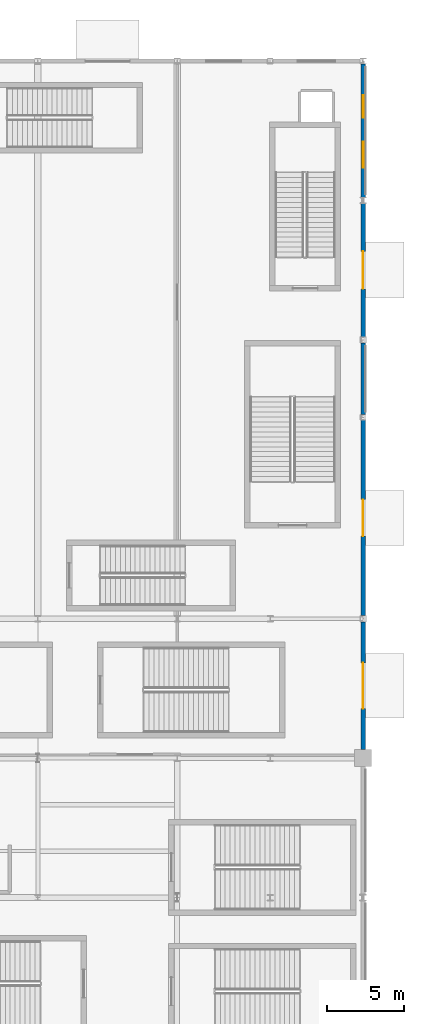
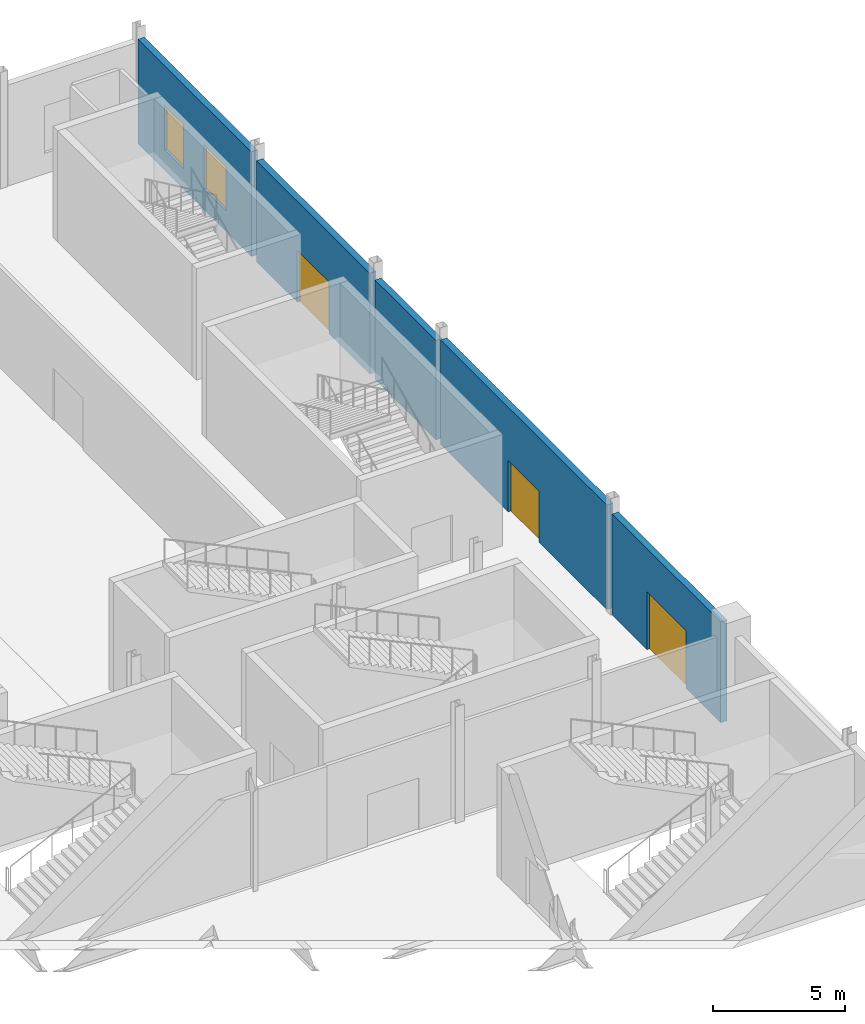
# One storey, part 63 of 94: 5 walls, 3 doors, 2 windows, 5 openings.
"""IFC4 building model written with IfcOpenShell, lengths in metres."""

from ifc_helpers import new_model, si_unit, direction, frame, frame_2d, origin, place, context, subcontext, project, spatial, rectangle, extrude, material, layer, layer_set, type_object, element, fill, save


model = new_model("IFC4")

# Units and contexts
model_context = context("Model", 3, precision=1e-05, world=origin(), true_north=direction((0.0, 1.0)))
body_context = subcontext(model_context, "Body", "Model", "MODEL_VIEW")
ifc_project = project(units=[si_unit("LENGTHUNIT", "METRE"), si_unit("AREAUNIT", "SQUARE_METRE"), si_unit("VOLUMEUNIT", "CUBIC_METRE"), si_unit("PLANEANGLEUNIT", "RADIAN"), si_unit("MASSUNIT", "GRAM", prefix="KILO")], contexts=[model_context])

# Site, building, storey
site_placement = place(None, origin())
site = spatial("IfcSite", under=ifc_project, at=site_placement, CompositionType="ELEMENT")
building_placement = place(site_placement, origin())
building = spatial("IfcBuilding", under=site, at=building_placement, Name="Qamarlyn Nura Convention Centre", CompositionType="ELEMENT")
storey_placement = place(building_placement, origin())
storey = spatial("IfcBuildingStorey", under=building, at=storey_placement, Name="L00", CompositionType="ELEMENT", Elevation=0.0)

# Wall, opening, door
ifc_material_1 = material(Name="Concrete C40/50", Category="concrete")
ifc_layer = layer(ifc_material_1, 0.280029296875, Name="WT-EXT-280")
ifc_layer_set = layer_set([ifc_layer], Name="Concrete C40/50")
wall_type = type_object("IfcWallType", Name="WT-EXT-280", PredefinedType="SOLIDWALL", material=ifc_layer_set)
wall_1_placement = place(storey_placement, frame((192.0, 89.800048828125, 0.0), z_axis=(0.0, 0.0, 1.0), x_axis=(0.0, -1.0, 0.0)))
wall_1 = element("IfcWall", 1, at=wall_1_placement, inside=storey, type_object=wall_type, Name="L00 exterior facade wall WEXT-L00-1920-898-1920-816", PredefinedType="SOLIDWALL", context=body_context, shape_type="SweptSolid", body=[
    extrude(rectangle(XDim=8.25, YDim=0.280029296875, at=frame_2d((4.125, 0.0))), origin(), (0.0, 0.0, 1.0), 4.678955078125),
])
opening_1_placement = place(wall_1_placement, frame((2.64990234375, 0.0, 0.0)))
opening_1 = element("IfcOpeningElement", 2, at=opening_1_placement, cuts=wall_1, Name="Opening E-40", PredefinedType="OPENING", context=body_context, shape_type="SweptSolid", body=[
    extrude(rectangle(XDim=2.949951171875, YDim=2.679931640625, at=frame_2d((1.47509765625, 1.33984375))), frame((0.0, 0.14990234375, 0.0), z_axis=(0.0, -1.0, 0.0), x_axis=(1.0, 0.0, 0.0)), (0.0, 0.0, 1.0), 0.300048828125),
])
ifc_material_2 = material(Name="Champagne-anodised marine aluminium", Category="aluminium")
door_type_1 = type_object("IfcDoorType", Name="DR-MAIN-2950", OperationType="DOUBLE_DOOR_SINGLE_SWING", PredefinedType="DOOR", material=ifc_material_2)
door_1_placement = place(opening_1_placement, origin())
door_1 = element("IfcDoor", 3, at=door_1_placement, inside=storey, type_object=door_type_1, Name="Final exit E-40", OperationType="DOUBLE_DOOR_SINGLE_SWING", OverallHeight=2.679931640625, OverallWidth=2.949951171875, PredefinedType="DOOR", context=body_context, shape_type="SweptSolid", body=[
    extrude(rectangle(XDim=2.949951171875, YDim=2.679931640625, at=frame_2d((1.47509765625, 1.33984375))), frame((0.0, 0.02490234375, 0.0), z_axis=(0.0, -1.0, 0.0), x_axis=(1.0, 0.0, 0.0)), (0.0, 0.0, 1.0), 0.050048828125),
])
fill(opening_1, door_1)

wall_2_placement = place(storey_placement, frame((192.0, 102.824951171875, 0.0), z_axis=(0.0, 0.0, 1.0), x_axis=(0.0, -1.0, 0.0)))
wall_2 = element("IfcWall", 4, at=wall_2_placement, inside=storey, type_object=wall_type, Name="L00 exterior facade wall WEXT-L00-1920-1028-1920-902", PredefinedType="SOLIDWALL", context=body_context, shape_type="SweptSolid", body=[
    extrude(rectangle(XDim=12.625, YDim=0.280029296875, at=frame_2d((6.3125, 0.0))), origin(), (0.0, 0.0, 1.0), 4.844970703125),
])
opening_2_placement = place(wall_2_placement, frame((5.137451171875, 0.0, 0.0)))
opening_2 = element("IfcOpeningElement", 5, at=opening_2_placement, cuts=wall_2, Name="Opening E-41", PredefinedType="OPENING", context=body_context, shape_type="SweptSolid", body=[
    extrude(rectangle(XDim=2.35009765625, YDim=2.3798828125, at=frame_2d((1.175048828125, 1.18994140625))), frame((0.0, 0.14990234375, 0.0), z_axis=(0.0, -1.0, 0.0), x_axis=(1.0, 0.0, 0.0)), (0.0, 0.0, 1.0), 0.300048828125),
])
door_type_2 = type_object("IfcDoorType", Name="DR-EXIT-2350", OperationType="DOUBLE_DOOR_SINGLE_SWING", PredefinedType="DOOR", material=ifc_material_2)
door_2_placement = place(opening_2_placement, origin())
door_2 = element("IfcDoor", 6, at=door_2_placement, inside=storey, type_object=door_type_2, Name="Final exit E-41", OperationType="DOUBLE_DOOR_SINGLE_SWING", OverallHeight=2.3798828125, OverallWidth=2.35009765625, PredefinedType="DOOR", context=body_context, shape_type="SweptSolid", body=[
    extrude(rectangle(XDim=2.35009765625, YDim=2.3798828125, at=frame_2d((1.175048828125, 1.18994140625))), frame((0.0, 0.02490234375, 0.0), z_axis=(0.0, -1.0, 0.0), x_axis=(1.0, 0.0, 0.0)), (0.0, 0.0, 1.0), 0.050048828125),
])
fill(opening_2, door_2)

# Wall
wall_3_placement = place(storey_placement, frame((192.0, 107.800048828125, 0.0), z_axis=(0.0, 0.0, 1.0), x_axis=(0.0, -1.0, 0.0)))
element("IfcWall", 7, at=wall_3_placement, inside=storey, type_object=wall_type, Name="L00 exterior facade wall WEXT-L00-1920-1078-1920-1032", PredefinedType="SOLIDWALL", context=body_context, shape_type="SweptSolid", body=[
    extrude(rectangle(XDim=4.625, YDim=0.280029296875, at=frame_2d((2.3125, 0.0))), origin(), (0.0, 0.0, 1.0), 4.60595703125),
])

# Wall, opening, door
wall_4_placement = place(storey_placement, frame((192.0, 116.803466796875, 0.0), z_axis=(0.0, 0.0, 1.0), x_axis=(0.0, -1.0, 0.0)))
wall_4 = element("IfcWall", 8, at=wall_4_placement, inside=storey, type_object=wall_type, Name="L00 exterior facade wall WEXT-L00-1920-1168-1920-1082", PredefinedType="SOLIDWALL", context=body_context, shape_type="SweptSolid", body=[
    extrude(rectangle(XDim=8.603515625, YDim=0.280029296875, at=frame_2d((4.3017578125, 0.0))), origin(), (0.0, 0.0, 1.0), 4.678955078125),
])
opening_3_placement = place(wall_4_placement, frame((3.091796875, 0.0, 0.0)))
opening_3 = element("IfcOpeningElement", 9, at=opening_3_placement, cuts=wall_4, Name="Opening E-42", PredefinedType="OPENING", context=body_context, shape_type="SweptSolid", body=[
    extrude(rectangle(XDim=2.419921875, YDim=2.39990234375, at=frame_2d((1.2099609375, 1.199951171875))), frame((0.0, 0.14990234375, 0.0), z_axis=(0.0, -1.0, 0.0), x_axis=(1.0, 0.0, 0.0)), (0.0, 0.0, 1.0), 0.300048828125),
])
door_type_3 = type_object("IfcDoorType", Name="DR-EXIT-2420", OperationType="DOUBLE_DOOR_SINGLE_SWING", PredefinedType="DOOR", material=ifc_material_2)
door_3_placement = place(opening_3_placement, origin())
door_3 = element("IfcDoor", 10, at=door_3_placement, inside=storey, type_object=door_type_3, Name="Final exit E-42", OperationType="DOUBLE_DOOR_SINGLE_SWING", OverallHeight=2.39990234375, OverallWidth=2.419921875, PredefinedType="DOOR", context=body_context, shape_type="SweptSolid", body=[
    extrude(rectangle(XDim=2.419921875, YDim=2.39990234375, at=frame_2d((1.2099609375, 1.199951171875))), frame((0.0, 0.02490234375, 0.0), z_axis=(0.0, -1.0, 0.0), x_axis=(1.0, 0.0, 0.0)), (0.0, 0.0, 1.0), 0.050048828125),
])
fill(opening_3, door_3)

# Wall, openings, windows
wall_5_placement = place(storey_placement, frame((192.0, 125.81396484375, 0.0), z_axis=(0.0, 0.0, 1.0), x_axis=(0.0, -1.0, 0.0)))
wall_5 = element("IfcWall", 11, at=wall_5_placement, inside=storey, type_object=wall_type, Name="L00 exterior facade wall WEXT-L00-1920-1258-1920-1172", PredefinedType="SOLIDWALL", context=body_context, shape_type="SweptSolid", body=[
    extrude(rectangle(XDim=8.617431640625, YDim=0.280029296875, at=frame_2d((4.30859375, 0.0))), origin(), (0.0, 0.0, 1.0), 4.844970703125),
])
opening_4_placement = place(wall_5_placement, frame((2.029296875, 0.0, 0.949951171875)))
opening_4 = element("IfcOpeningElement", 12, at=opening_4_placement, cuts=wall_5, Name="Opening WN13", PredefinedType="OPENING", context=body_context, shape_type="SweptSolid", body=[
    extrude(rectangle(XDim=1.449951171875, YDim=2.050048828125, at=frame_2d((0.72509765625, 1.02490234375))), frame((0.0, 0.14990234375, 0.0), z_axis=(0.0, -1.0, 0.0), x_axis=(1.0, 0.0, 0.0)), (0.0, 0.0, 1.0), 0.300048828125),
])
opening_5_placement = place(wall_5_placement, frame((5.0380859375, 0.0, 0.949951171875)))
opening_5 = element("IfcOpeningElement", 13, at=opening_5_placement, cuts=wall_5, Name="Opening WN14", PredefinedType="OPENING", context=body_context, shape_type="SweptSolid", body=[
    extrude(rectangle(XDim=1.64990234375, YDim=2.050048828125, at=frame_2d((0.824951171875, 1.02490234375))), frame((0.0, 0.14990234375, 0.0), z_axis=(0.0, -1.0, 0.0), x_axis=(1.0, 0.0, 0.0)), (0.0, 0.0, 1.0), 0.300048828125),
])
ifc_material_3 = material(Name="Double-silver low-E insulated glass", Category="glass")
window_type_1 = type_object("IfcWindowType", Name="WIN-SOL-13", PartitioningType="SINGLE_PANEL", PredefinedType="WINDOW", material=ifc_material_3)
window_1_placement = place(opening_4_placement, origin())
window_1 = element("IfcWindow", 14, at=window_1_placement, inside=storey, type_object=window_type_1, Name="L00 solar-control window 013", OverallHeight=2.050048828125, OverallWidth=1.449951171875, PartitioningType="SINGLE_PANEL", PredefinedType="WINDOW", context=body_context, shape_type="SweptSolid", body=[
    extrude(rectangle(XDim=1.449951171875, YDim=2.050048828125, at=frame_2d((0.72509765625, 1.02490234375))), frame((0.0, 0.030029296875, 0.0), z_axis=(0.0, -1.0, 0.0), x_axis=(1.0, 0.0, 0.0)), (0.0, 0.0, 1.0), 0.06005859375),
])
fill(opening_4, window_1)
window_type_2 = type_object("IfcWindowType", Name="WIN-SOL-14", PartitioningType="SINGLE_PANEL", PredefinedType="WINDOW", material=ifc_material_3)
window_2_placement = place(opening_5_placement, origin())
window_2 = element("IfcWindow", 15, at=window_2_placement, inside=storey, type_object=window_type_2, Name="L00 solar-control window 014", OverallHeight=2.050048828125, OverallWidth=1.64990234375, PartitioningType="SINGLE_PANEL", PredefinedType="WINDOW", context=body_context, shape_type="SweptSolid", body=[
    extrude(rectangle(XDim=1.64990234375, YDim=2.050048828125, at=frame_2d((0.824951171875, 1.02490234375))), frame((0.0, 0.030029296875, 0.0), z_axis=(0.0, -1.0, 0.0), x_axis=(1.0, 0.0, 0.0)), (0.0, 0.0, 1.0), 0.06005859375),
])
fill(opening_5, window_2)

save(model, "model.ifc")
